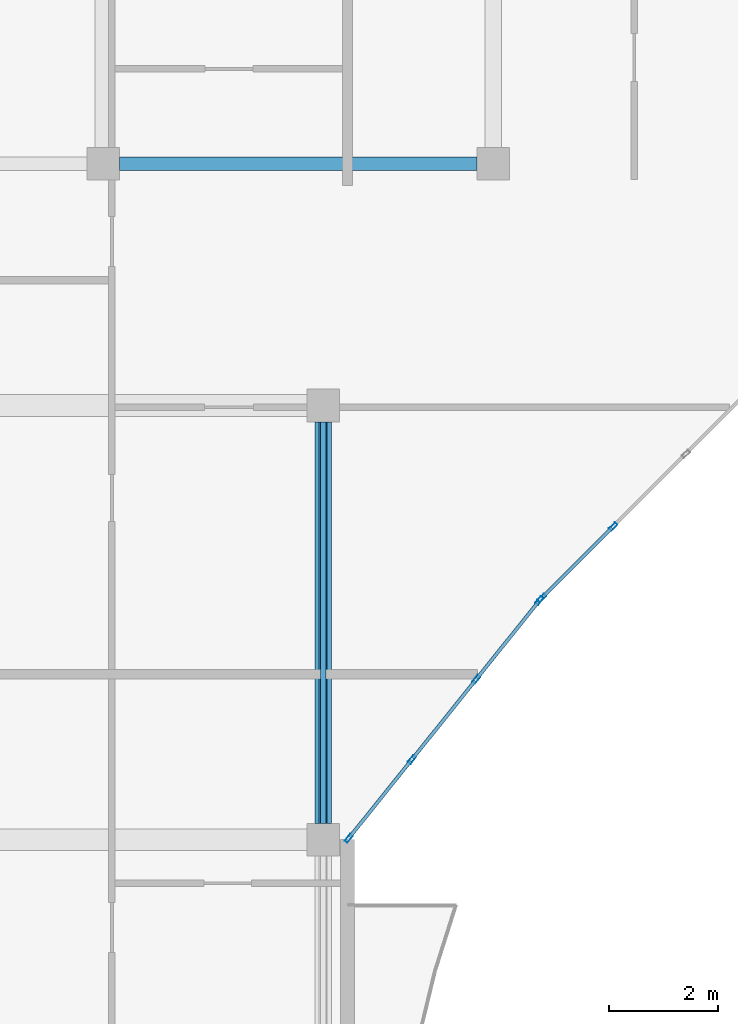
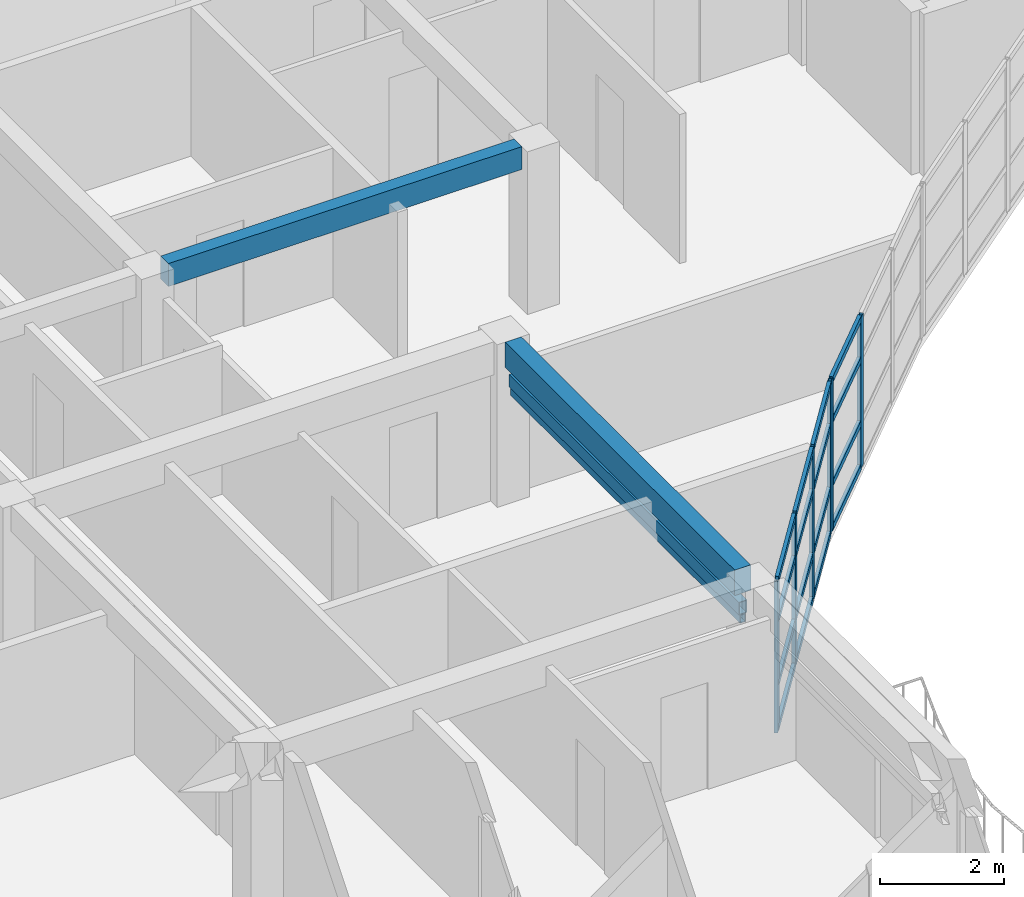
# One storey, part 15 of 71: 24 members, 2 beams, 2 elements without a shape of their own.
"""IFC4 building model written with IfcOpenShell, lengths in metres."""

from ifc_helpers import new_model, si_unit, direction, frame, origin, origin_2d, place, context, subcontext, project, spatial, rectangle, hollow_rectangle, extrude, material, layer, layer_set, material_profile, profile_set, type_object, element, aggregate, save


model = new_model("IFC4")

# Units and contexts
model_context = context("Model", 3, precision=1e-05, world=origin(), true_north=direction((0.0, 1.0)))
body_context = subcontext(model_context, "Body", "Model", "MODEL_VIEW")
ifc_project = project(units=[si_unit("LENGTHUNIT", "METRE"), si_unit("AREAUNIT", "SQUARE_METRE"), si_unit("VOLUMEUNIT", "CUBIC_METRE"), si_unit("PLANEANGLEUNIT", "RADIAN"), si_unit("MASSUNIT", "GRAM", prefix="KILO")], contexts=[model_context])

# Site, building, storey
site_placement = place(None, origin())
site = spatial("IfcSite", under=ifc_project, at=site_placement, CompositionType="ELEMENT")
building_placement = place(site_placement, origin())
building = spatial("IfcBuilding", under=site, at=building_placement, Name="Keldmere Railside Commons", CompositionType="ELEMENT")
storey_placement = place(building_placement, frame((0.0, 0.0, 20.159912109375)))
storey = spatial("IfcBuildingStorey", under=building, at=storey_placement, Name="L06", CompositionType="ELEMENT", Elevation=20.159912109375)

# Member
ifc_material_1 = material(Name="Steel F-36 (S355)", Category="steel")
ifc_material_profile_1 = material_profile(ifc_material_1, hollow_rectangle(XDim=0.14990234375, YDim=0.25, WallThickness=0.010009765625, at=origin_2d()), Name="RHS-250x150x10")
ifc_profile_set_1 = profile_set([ifc_material_profile_1], Name="Steel F-36 (S355)")
member_type_1 = type_object("IfcMemberType", Name="Balcony Continuous Planted Trough RHS250x150", PredefinedType="CHORD", material=ifc_profile_set_1)
member_1_placement = place(storey_placement, frame((119.550048828125, 88.300048828125, 2.4150390625), z_axis=(0.0, 1.0, 0.0), x_axis=(-1.0, 0.0, 0.0)))
element("IfcMember", 1, at=member_1_placement, inside=storey, type_object=member_type_1, Name="PLT-1 MEM-BPLT-0749", PredefinedType="CHORD", context=body_context, shape_type="SweptSolid", body=[
    extrude(hollow_rectangle(XDim=0.14990234375, YDim=0.25, WallThickness=0.010009765625, at=origin_2d()), origin(), (0.0, 0.0, 1.0), 7.39990234375),
])

# Beams
ifc_material_2 = material(Name="Architectural Precast Concrete H-35 (C35/45)", Category="concrete")
ifc_material_profile_2 = material_profile(ifc_material_2, rectangle(XDim=0.25, YDim=0.449951171875, at=origin_2d()), Name="RC-250x450")
ifc_profile_set_2 = profile_set([ifc_material_profile_2], Name="Architectural Precast Concrete H-35 (C35/45)")
beam_type_1 = type_object("IfcBeamType", Name="Perimeter Precast Spandrel Beam 250x450", PredefinedType="SPANDREL", material=ifc_profile_set_2)
beam_1_placement = place(storey_placement, frame((115.800048828125, 100.449951171875, 2.97509765625), z_axis=(1.0, 0.0, 0.0), x_axis=(0.0, 1.0, 0.0)))
element("IfcBeam", 2, at=beam_1_placement, inside=storey, type_object=beam_type_1, Name="SPB-1 BM-L06-1904", PredefinedType="SPANDREL", context=body_context, shape_type="SweptSolid", body=[
    extrude(rectangle(XDim=0.25, YDim=0.449951171875, at=origin_2d()), origin(), (0.0, 0.0, 1.0), 6.5830078125),
])
ifc_material_3 = material(Name="Concrete H-30 (C30/37)", Category="concrete")
ifc_material_profile_3 = material_profile(ifc_material_3, rectangle(XDim=0.300048828125, YDim=0.5, at=origin_2d()), Name="RC-300x500")
ifc_profile_set_3 = profile_set([ifc_material_profile_3], Name="Concrete H-30 (C30/37)")
beam_type_2 = type_object("IfcBeamType", Name="Secondary Frame RC Beam 300x500", PredefinedType="BEAM", material=ifc_profile_set_3)
beam_2_placement = place(storey_placement, frame((119.550048828125, 88.300048828125, 2.9501953125), z_axis=(0.0, 1.0, 0.0), x_axis=(-1.0, 0.0, 0.0)))
element("IfcBeam", 3, at=beam_2_placement, inside=storey, type_object=beam_type_2, Name="BG-5 BM-L06-1992", PredefinedType="BEAM", context=body_context, shape_type="SweptSolid", body=[
    extrude(rectangle(XDim=0.300048828125, YDim=0.5, at=origin_2d()), origin(), (0.0, 0.0, 1.0), 7.39990234375),
])

# Member
ifc_material_profile_4 = material_profile(ifc_material_1, hollow_rectangle(XDim=0.10009765625, YDim=0.159912109375, WallThickness=0.008056640625, at=origin_2d()), Name="RHS-160x100x8")
ifc_profile_set_4 = profile_set([ifc_material_profile_4], Name="Steel F-36 (S355)")
member_type_2 = type_object("IfcMemberType", Name="Solar Brise-Soleil Louvre Fin RHS160x100", PredefinedType="STRUT", material=ifc_profile_set_4)
member_2_placement = place(storey_placement, frame((119.550048828125, 88.300048828125, 2.2001953125), z_axis=(0.0, 1.0, 0.0), x_axis=(-1.0, 0.0, 0.0)))
element("IfcMember", 4, at=member_2_placement, inside=storey, type_object=member_type_2, Name="BSF-1 MEM-BSF-0750", PredefinedType="STRUT", context=body_context, shape_type="SweptSolid", body=[
    extrude(hollow_rectangle(XDim=0.10009765625, YDim=0.159912109375, WallThickness=0.008056640625, at=origin_2d()), origin(), (0.0, 0.0, 1.0), 7.39990234375),
])

# Curtain wall, members
ifc_material_4 = material(Name="Thermally Broken Aluminium", Category="aluminium")
ifc_layer_1 = layer(ifc_material_4, 0.159912109375, Name="Court Chord Wintergarden CW 4800x2850")
ifc_layer_set_1 = layer_set([ifc_layer_1], Name="Thermally Broken Aluminium")
curtain_wall_type_1 = type_object("IfcCurtainWallType", Name="Court Chord Wintergarden CW 4800x2850", PredefinedType="NOTDEFINED", material=ifc_layer_set_1)
curtain_wall_1_placement = place(storey_placement, origin())
curtain_wall_1 = element("IfcCurtainWall", 5, at=curtain_wall_1_placement, inside=storey, type_object=curtain_wall_type_1, Name="CW-12 CW-L06-121", PredefinedType="NOTDEFINED")
ifc_material_profile_5 = material_profile(ifc_material_4, hollow_rectangle(XDim=0.06494140625, YDim=0.159912109375, WallThickness=0.00390625, at=origin_2d()), Name="ALU-MULL-65x160")
ifc_profile_set_5 = profile_set([ifc_material_profile_5], Name="Thermally Broken Aluminium")
member_type_3 = type_object("IfcMemberType", Name="Unitised Curtain Wall Mullion 65x160", PredefinedType="MULLION", material=ifc_profile_set_5)
member_3_placement = place(storey_placement, frame((123.53369140625, 92.404541015625, 0.0), z_axis=(0.0, 0.0, 1.0), x_axis=(0.780009172323, -0.625768080915, 0.0)))
member_3 = element("IfcMember", 6, at=member_3_placement, type_object=member_type_3, Name="CW-12 mullion 1", PredefinedType="MULLION", context=body_context, shape_type="SweptSolid", body=[
    extrude(hollow_rectangle(XDim=0.06494140625, YDim=0.159912109375, WallThickness=0.00390625, at=origin_2d()), origin(), (0.0, 0.0, 1.0), 2.97998046875),
])
member_4_placement = place(storey_placement, frame((122.369384765625, 90.953369140625, 0.0), z_axis=(0.0, 0.0, 1.0), x_axis=(0.780009172323, -0.625768080915, 0.0)))
member_4 = element("IfcMember", 7, at=member_4_placement, type_object=member_type_3, Name="CW-12 mullion 2", PredefinedType="MULLION", context=body_context, shape_type="SweptSolid", body=[
    extrude(hollow_rectangle(XDim=0.06494140625, YDim=0.159912109375, WallThickness=0.00390625, at=origin_2d()), origin(), (0.0, 0.0, 1.0), 2.97998046875),
])
member_5_placement = place(storey_placement, frame((121.1845703125, 89.4765625, 0.0), z_axis=(0.0, 0.0, 1.0), x_axis=(0.780009172323, -0.625768080915, 0.0)))
member_5 = element("IfcMember", 8, at=member_5_placement, type_object=member_type_3, Name="CW-12 mullion 3", PredefinedType="MULLION", context=body_context, shape_type="SweptSolid", body=[
    extrude(hollow_rectangle(XDim=0.06494140625, YDim=0.159912109375, WallThickness=0.00390625, at=origin_2d()), origin(), (0.0, 0.0, 1.0), 2.97998046875),
])
member_6_placement = place(storey_placement, frame((120.020263671875, 88.025390625, 0.0), z_axis=(0.0, 0.0, 1.0), x_axis=(0.780009172323, -0.625768080915, 0.0)))
member_6 = element("IfcMember", 9, at=member_6_placement, type_object=member_type_3, Name="CW-12 mullion 4", PredefinedType="MULLION", context=body_context, shape_type="SweptSolid", body=[
    extrude(hollow_rectangle(XDim=0.06494140625, YDim=0.159912109375, WallThickness=0.00390625, at=origin_2d()), origin(), (0.0, 0.0, 1.0), 2.97998046875),
])

ifc_layer_2 = layer(ifc_material_4, 0.159912109375, Name="Court Chord Wintergarden CW 5400x2850")
ifc_layer_set_2 = layer_set([ifc_layer_2], Name="Thermally Broken Aluminium")
curtain_wall_type_2 = type_object("IfcCurtainWallType", Name="Court Chord Wintergarden CW 5400x2850", PredefinedType="NOTDEFINED", material=ifc_layer_set_2)
curtain_wall_2_placement = place(storey_placement, origin())
curtain_wall_2 = element("IfcCurtainWall", 10, at=curtain_wall_2_placement, inside=storey, type_object=curtain_wall_type_2, Name="CW-13 CW-L06-122", PredefinedType="NOTDEFINED")
member_7_placement = place(storey_placement, frame((124.892578125, 93.7685546875, 0.0), z_axis=(0.0, 0.0, 1.0), x_axis=(0.707106781187, -0.707106781187, 0.0)))
member_7 = element("IfcMember", 11, at=member_7_placement, type_object=member_type_3, Name="CW-13 mullion 3", PredefinedType="MULLION", context=body_context, shape_type="SweptSolid", body=[
    extrude(hollow_rectangle(XDim=0.06494140625, YDim=0.159912109375, WallThickness=0.00390625, at=origin_2d()), origin(), (0.0, 0.0, 1.0), 2.97998046875),
])
member_8_placement = place(storey_placement, frame((123.576904296875, 92.452880859375, 0.0), z_axis=(0.0, 0.0, 1.0), x_axis=(0.707106781187, -0.707106781187, 0.0)))
member_8 = element("IfcMember", 12, at=member_8_placement, type_object=member_type_3, Name="CW-13 mullion 4", PredefinedType="MULLION", context=body_context, shape_type="SweptSolid", body=[
    extrude(hollow_rectangle(XDim=0.06494140625, YDim=0.159912109375, WallThickness=0.00390625, at=origin_2d()), origin(), (0.0, 0.0, 1.0), 2.97998046875),
])

# Member
ifc_material_profile_6 = material_profile(ifc_material_4, hollow_rectangle(XDim=0.06494140625, YDim=0.1201171875, WallThickness=0.00390625, at=origin_2d()), Name="ALU-TRAN-65x120")
ifc_profile_set_6 = profile_set([ifc_material_profile_6], Name="Thermally Broken Aluminium")
member_type_4 = type_object("IfcMemberType", Name="Unitised Curtain Wall Transom 65x120", PredefinedType="USERDEFINED", material=ifc_profile_set_6)
member_9_placement = place(storey_placement, frame((123.513427734375, 92.37939453125, 0.032470703125), z_axis=(-0.625805275091, -0.779979331565, 0.0), x_axis=(0.779979331565, -0.625805275091, 0.0)))
member_9 = element("IfcMember", 13, at=member_9_placement, type_object=member_type_4, Name="CW-12 transom 1.1", ObjectType="TRANSOM", PredefinedType="USERDEFINED", context=body_context, shape_type="SweptSolid", body=[
    extrude(hollow_rectangle(XDim=0.06494140625, YDim=0.1201171875, WallThickness=0.00390625, at=origin_2d()), origin(), (0.0, 0.0, 1.0), 1.795654296875),
])

member_10_placement = place(storey_placement, frame((123.513427734375, 92.37939453125, 0.900146484375), z_axis=(-0.625805275091, -0.779979331565, 0.0), x_axis=(0.779979331565, -0.625805275091, 0.0)))
member_10 = element("IfcMember", 14, at=member_10_placement, type_object=member_type_4, Name="CW-12 transom 1.2", ObjectType="TRANSOM", PredefinedType="USERDEFINED", context=body_context, shape_type="SweptSolid", body=[
    extrude(hollow_rectangle(XDim=0.06494140625, YDim=0.1201171875, WallThickness=0.00390625, at=origin_2d()), origin(), (0.0, 0.0, 1.0), 1.795654296875),
])

member_11_placement = place(storey_placement, frame((123.513427734375, 92.37939453125, 2.150146484375), z_axis=(-0.625805275091, -0.779979331565, 0.0), x_axis=(0.779979331565, -0.625805275091, 0.0)))
member_11 = element("IfcMember", 15, at=member_11_placement, type_object=member_type_4, Name="CW-12 transom 1.3", ObjectType="TRANSOM", PredefinedType="USERDEFINED", context=body_context, shape_type="SweptSolid", body=[
    extrude(hollow_rectangle(XDim=0.06494140625, YDim=0.1201171875, WallThickness=0.00390625, at=origin_2d()), origin(), (0.0, 0.0, 1.0), 1.795654296875),
])

member_12_placement = place(storey_placement, frame((123.513427734375, 92.37939453125, 2.947509765625), z_axis=(-0.625805275091, -0.779979331565, 0.0), x_axis=(0.779979331565, -0.625805275091, 0.0)))
member_12 = element("IfcMember", 16, at=member_12_placement, type_object=member_type_4, Name="CW-12 transom 1.4", ObjectType="TRANSOM", PredefinedType="USERDEFINED", context=body_context, shape_type="SweptSolid", body=[
    extrude(hollow_rectangle(XDim=0.06494140625, YDim=0.1201171875, WallThickness=0.00390625, at=origin_2d()), origin(), (0.0, 0.0, 1.0), 1.795654296875),
])

member_13_placement = place(storey_placement, frame((122.348876953125, 90.927978515625, 0.032470703125), z_axis=(-0.625688033635, -0.78007338409, 0.0), x_axis=(0.78007338409, -0.625688033635, 0.0)))
member_13 = element("IfcMember", 17, at=member_13_placement, type_object=member_type_4, Name="CW-12 transom 2.1", ObjectType="TRANSOM", PredefinedType="USERDEFINED", context=body_context, shape_type="SweptSolid", body=[
    extrude(hollow_rectangle(XDim=0.06494140625, YDim=0.1201171875, WallThickness=0.00390625, at=origin_2d()), origin(), (0.0, 0.0, 1.0), 1.828125),
])

member_14_placement = place(storey_placement, frame((122.348876953125, 90.927978515625, 0.900146484375), z_axis=(-0.625688033635, -0.78007338409, 0.0), x_axis=(0.78007338409, -0.625688033635, 0.0)))
member_14 = element("IfcMember", 18, at=member_14_placement, type_object=member_type_4, Name="CW-12 transom 2.2", ObjectType="TRANSOM", PredefinedType="USERDEFINED", context=body_context, shape_type="SweptSolid", body=[
    extrude(hollow_rectangle(XDim=0.06494140625, YDim=0.1201171875, WallThickness=0.00390625, at=origin_2d()), origin(), (0.0, 0.0, 1.0), 1.828125),
])

member_15_placement = place(storey_placement, frame((122.348876953125, 90.927978515625, 2.150146484375), z_axis=(-0.625688033635, -0.78007338409, 0.0), x_axis=(0.78007338409, -0.625688033635, 0.0)))
member_15 = element("IfcMember", 19, at=member_15_placement, type_object=member_type_4, Name="CW-12 transom 2.3", ObjectType="TRANSOM", PredefinedType="USERDEFINED", context=body_context, shape_type="SweptSolid", body=[
    extrude(hollow_rectangle(XDim=0.06494140625, YDim=0.1201171875, WallThickness=0.00390625, at=origin_2d()), origin(), (0.0, 0.0, 1.0), 1.828125),
])

member_16_placement = place(storey_placement, frame((122.348876953125, 90.927978515625, 2.947509765625), z_axis=(-0.625688033635, -0.78007338409, 0.0), x_axis=(0.78007338409, -0.625688033635, 0.0)))
member_16 = element("IfcMember", 20, at=member_16_placement, type_object=member_type_4, Name="CW-12 transom 2.4", ObjectType="TRANSOM", PredefinedType="USERDEFINED", context=body_context, shape_type="SweptSolid", body=[
    extrude(hollow_rectangle(XDim=0.06494140625, YDim=0.1201171875, WallThickness=0.00390625, at=origin_2d()), origin(), (0.0, 0.0, 1.0), 1.828125),
])

member_17_placement = place(storey_placement, frame((121.164306640625, 89.451416015625, 0.032470703125), z_axis=(-0.625722553313, -0.780045694992, 0.0), x_axis=(0.780045694992, -0.625722553313, 0.0)))
member_17 = element("IfcMember", 21, at=member_17_placement, type_object=member_type_4, Name="CW-12 transom 3.1", ObjectType="TRANSOM", PredefinedType="USERDEFINED", context=body_context, shape_type="SweptSolid", body=[
    extrude(hollow_rectangle(XDim=0.06494140625, YDim=0.1201171875, WallThickness=0.00390625, at=origin_2d()), origin(), (0.0, 0.0, 1.0), 1.795654296875),
])

member_18_placement = place(storey_placement, frame((121.164306640625, 89.451416015625, 0.900146484375), z_axis=(-0.625722553313, -0.780045694992, 0.0), x_axis=(0.780045694992, -0.625722553313, 0.0)))
member_18 = element("IfcMember", 22, at=member_18_placement, type_object=member_type_4, Name="CW-12 transom 3.2", ObjectType="TRANSOM", PredefinedType="USERDEFINED", context=body_context, shape_type="SweptSolid", body=[
    extrude(hollow_rectangle(XDim=0.06494140625, YDim=0.1201171875, WallThickness=0.00390625, at=origin_2d()), origin(), (0.0, 0.0, 1.0), 1.795654296875),
])

member_19_placement = place(storey_placement, frame((121.164306640625, 89.451416015625, 2.150146484375), z_axis=(-0.625722553313, -0.780045694992, 0.0), x_axis=(0.780045694992, -0.625722553313, 0.0)))
member_19 = element("IfcMember", 23, at=member_19_placement, type_object=member_type_4, Name="CW-12 transom 3.3", ObjectType="TRANSOM", PredefinedType="USERDEFINED", context=body_context, shape_type="SweptSolid", body=[
    extrude(hollow_rectangle(XDim=0.06494140625, YDim=0.1201171875, WallThickness=0.00390625, at=origin_2d()), origin(), (0.0, 0.0, 1.0), 1.795654296875),
])

member_20_placement = place(storey_placement, frame((121.164306640625, 89.451416015625, 2.947509765625), z_axis=(-0.625722553313, -0.780045694992, 0.0), x_axis=(0.780045694992, -0.625722553313, 0.0)))
member_20 = element("IfcMember", 24, at=member_20_placement, type_object=member_type_4, Name="CW-12 transom 3.4", ObjectType="TRANSOM", PredefinedType="USERDEFINED", context=body_context, shape_type="SweptSolid", body=[
    extrude(hollow_rectangle(XDim=0.06494140625, YDim=0.1201171875, WallThickness=0.00390625, at=origin_2d()), origin(), (0.0, 0.0, 1.0), 1.795654296875),
])

aggregate(curtain_wall_1, [member_3, member_4, member_5, member_6, member_9, member_10, member_11, member_12, member_13, member_14, member_15, member_16, member_17, member_18, member_19, member_20])

member_21_placement = place(storey_placement, frame((124.86962890625, 93.74560546875, 0.032470703125), z_axis=(-0.707174762418, -0.707038793419, 0.0), x_axis=(0.707038793419, -0.707174762418, 0.0)))
member_21 = element("IfcMember", 25, at=member_21_placement, type_object=member_type_4, Name="CW-13 transom 3.1", ObjectType="TRANSOM", PredefinedType="USERDEFINED", context=body_context, shape_type="SweptSolid", body=[
    extrude(hollow_rectangle(XDim=0.06494140625, YDim=0.1201171875, WallThickness=0.00390625, at=origin_2d()), origin(), (0.0, 0.0, 1.0), 1.795654296875),
])

member_22_placement = place(storey_placement, frame((124.86962890625, 93.74560546875, 0.900146484375), z_axis=(-0.707174762418, -0.707038793419, 0.0), x_axis=(0.707038793419, -0.707174762418, 0.0)))
member_22 = element("IfcMember", 26, at=member_22_placement, type_object=member_type_4, Name="CW-13 transom 3.2", ObjectType="TRANSOM", PredefinedType="USERDEFINED", context=body_context, shape_type="SweptSolid", body=[
    extrude(hollow_rectangle(XDim=0.06494140625, YDim=0.1201171875, WallThickness=0.00390625, at=origin_2d()), origin(), (0.0, 0.0, 1.0), 1.795654296875),
])

member_23_placement = place(storey_placement, frame((124.86962890625, 93.74560546875, 2.150146484375), z_axis=(-0.707174762418, -0.707038793419, 0.0), x_axis=(0.707038793419, -0.707174762418, 0.0)))
member_23 = element("IfcMember", 27, at=member_23_placement, type_object=member_type_4, Name="CW-13 transom 3.3", ObjectType="TRANSOM", PredefinedType="USERDEFINED", context=body_context, shape_type="SweptSolid", body=[
    extrude(hollow_rectangle(XDim=0.06494140625, YDim=0.1201171875, WallThickness=0.00390625, at=origin_2d()), origin(), (0.0, 0.0, 1.0), 1.795654296875),
])

member_24_placement = place(storey_placement, frame((124.86962890625, 93.74560546875, 2.947509765625), z_axis=(-0.707174762418, -0.707038793419, 0.0), x_axis=(0.707038793419, -0.707174762418, 0.0)))
member_24 = element("IfcMember", 28, at=member_24_placement, type_object=member_type_4, Name="CW-13 transom 3.4", ObjectType="TRANSOM", PredefinedType="USERDEFINED", context=body_context, shape_type="SweptSolid", body=[
    extrude(hollow_rectangle(XDim=0.06494140625, YDim=0.1201171875, WallThickness=0.00390625, at=origin_2d()), origin(), (0.0, 0.0, 1.0), 1.795654296875),
])

aggregate(curtain_wall_2, [member_7, member_8, member_21, member_22, member_23, member_24])

save(model, "model.ifc")
